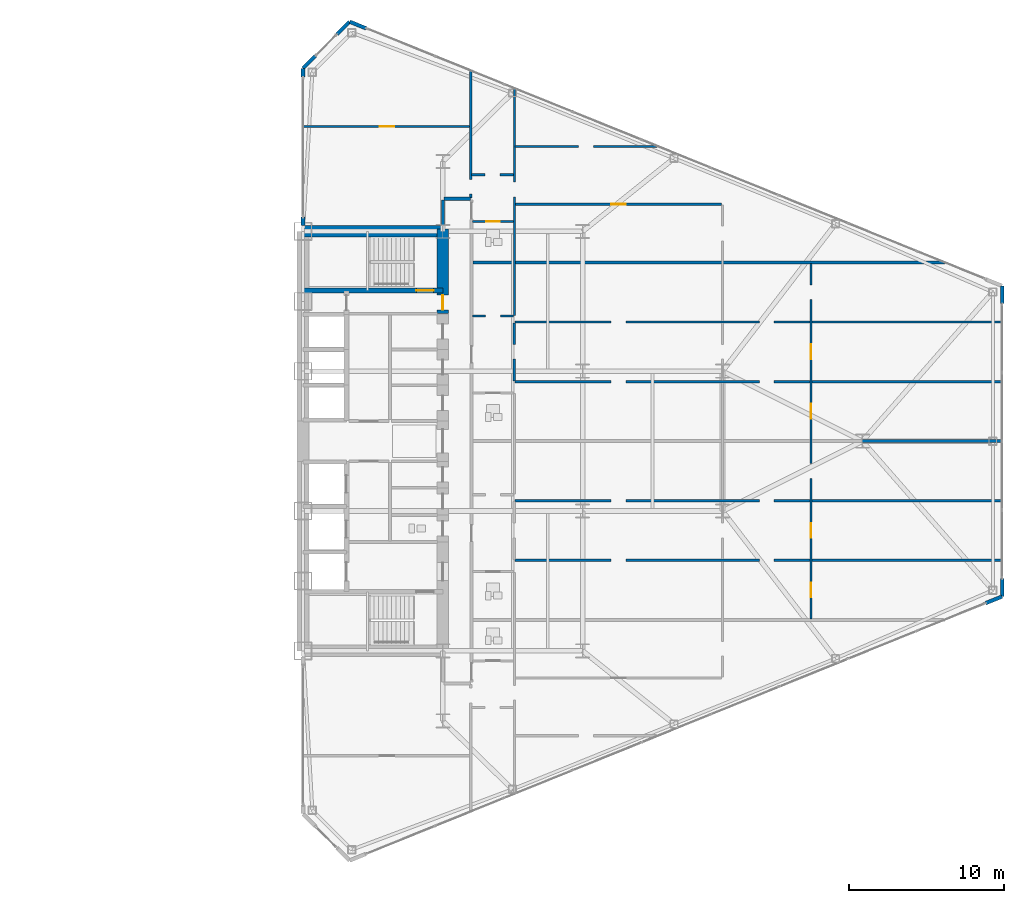
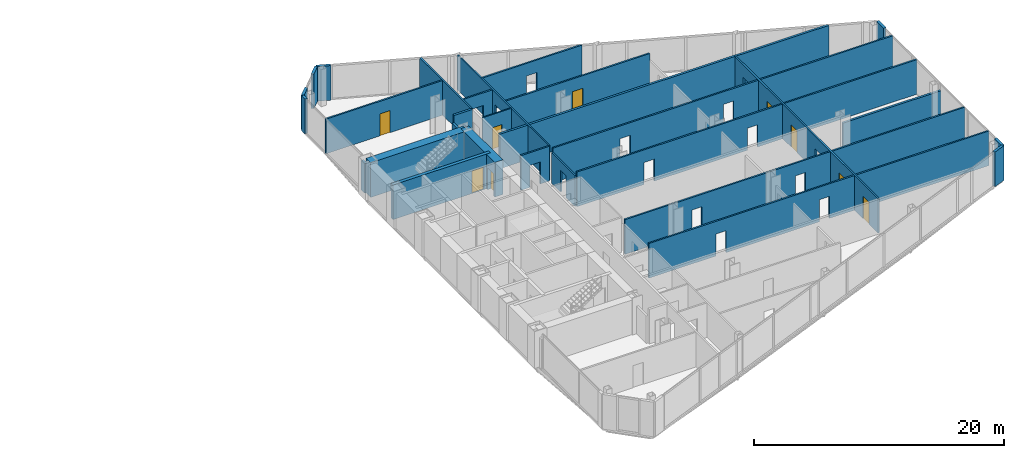
# One storey, part 22 of 25: 29 walls, 9 doors, 25 openings.
"""IFC4 building model written with IfcOpenShell, lengths in metres."""

import ifcopenshell
import ifcopenshell.guid

model = None  # the IFC model being written
_history = None  # IfcOwnerHistory: only IFC2X3 demands one
_inside = {}  # id of a spatial element -> (the spatial element, [elements in it])
_under = {}  # id of a project, library or spatial element -> (it, [spatial elements below it])
_declared = {}  # id of a project -> (the project, [libraries it declares])
_typed = {}  # id of a type object -> (the type object, [elements of that type])
_made_of = {}  # id of a material, layer set ... -> (it, [elements and type objects made of it])


def new_model(schema):
    """Start an empty IFC model of exactly this schema.

    Asked for "IFC4X3", IfcOpenShell would pick the latest addendum, in which some entities
    have other attributes; the version numbers below select the first issue.
    IFC2X3 requires an IfcOwnerHistory on every rooted entity: one is made here for all.
    """
    global model, _history
    if schema == "IFC4X3":
        model = ifcopenshell.file(schema_version=(4, 3, 0, 0))
    else:
        model = ifcopenshell.file(schema=schema)
    _inside.clear()
    _under.clear()
    _declared.clear()
    _typed.clear()
    _made_of.clear()
    _history = None
    if model.schema == "IFC2X3":
        org = make("IfcOrganization", Name="unknown")
        user = make(
            "IfcPersonAndOrganization",
            ThePerson=make("IfcPerson", FamilyName="unknown"),
            TheOrganization=org,
        )
        app = make(
            "IfcApplication",
            ApplicationDeveloper=org,
            Version="unknown",
            ApplicationFullName="unknown",
            ApplicationIdentifier="unknown",
        )
        _history = make(
            "IfcOwnerHistory",
            OwningUser=user,
            OwningApplication=app,
            ChangeAction="ADDED",
            CreationDate=0,
        )
    return model


def make(cls, **values):
    """One entity of the class cls with the attributes given. An attribute that is None is left unset."""
    return model.create_entity(
        cls, **{name: value for name, value in values.items() if value is not None}
    )


def rooted(cls, **values):
    """An entity with a GlobalId (a new one), such as an element, a storey or a relation."""
    return make(cls, GlobalId=ifcopenshell.guid.new(), OwnerHistory=_history, **values)


def si_unit(unit_type, name, prefix=None):
    """IfcSIUnit, for example si_unit("LENGTHUNIT", "METRE", prefix="MILLI")."""
    return make("IfcSIUnit", UnitType=unit_type, Prefix=prefix, Name=name)


def assignment(units):
    """IfcUnitAssignment: the units of a project."""
    return None if units is None else make("IfcUnitAssignment", Units=units)


def point(xyz):
    """IfcCartesianPoint."""
    return None if xyz is None else make("IfcCartesianPoint", Coordinates=xyz)


def direction(xyz):
    """IfcDirection."""
    return None if xyz is None else make("IfcDirection", DirectionRatios=xyz)


def frame(location, z_axis=None, x_axis=None):
    """IfcAxis2Placement3D, a coordinate frame: its origin and axes. An axis left out is left unset."""
    return make(
        "IfcAxis2Placement3D",
        Location=point(location),
        Axis=direction(z_axis),
        RefDirection=direction(x_axis),
    )


def frame_2d(location, x_axis=None):
    """IfcAxis2Placement2D, a coordinate frame in the plane: its origin and x axis."""
    return make(
        "IfcAxis2Placement2D", Location=point(location), RefDirection=direction(x_axis)
    )


def origin():
    """The frame at (0, 0, 0) with its axes left unset."""
    return frame((0.0, 0.0, 0.0))


def place(relative_to, where):
    """IfcLocalPlacement: puts the frame where relative to a parent placement (None: the world)."""
    return make(
        "IfcLocalPlacement", PlacementRelTo=relative_to, RelativePlacement=where
    )


def context(
    kind, dimensions, precision=None, world=None, true_north=None, identifier=None
):
    """IfcGeometricRepresentationContext, for example the 3D "Model" context."""
    return make(
        "IfcGeometricRepresentationContext",
        ContextIdentifier=identifier,
        ContextType=kind,
        CoordinateSpaceDimension=dimensions,
        Precision=precision,
        WorldCoordinateSystem=world,
        TrueNorth=true_north,
    )


def subcontext(parent, identifier, kind, view, scale=None):
    """IfcGeometricRepresentationSubContext, for example "Body" below "Model"."""
    return make(
        "IfcGeometricRepresentationSubContext",
        ContextIdentifier=identifier,
        ContextType=kind,
        ParentContext=parent,
        TargetScale=scale,
        TargetView=view,
    )


def project(units=None, contexts=None):
    """IfcProject with its units and contexts."""
    return rooted(
        "IfcProject",
        Name="project",
        RepresentationContexts=contexts,
        UnitsInContext=assignment(units),
    )


def spatial(cls, under=None, at=None, **own):
    """A site, building, storey or space (cls), placed at a placement, below another one or the project."""
    s = rooted(cls, ObjectPlacement=at, **own)
    if under is not None:
        _under.setdefault(under.id(), (under, []))[1].append(s)
    return s


def profile(cls, at=None, kind="AREA", **sizes):
    """A parametric profile (cls). Its sizes go by their IFC names, for example OverallWidth=200.0."""
    return make(cls, ProfileType=kind, Position=at, **sizes)


def rectangle(**sizes):
    """IfcRectangleProfileDef."""
    return profile("IfcRectangleProfileDef", **sizes)


def extrude(swept, where, along, depth):
    """IfcExtrudedAreaSolid: the profile swept, set in the frame where, extruded along a direction by depth."""
    return make(
        "IfcExtrudedAreaSolid",
        SweptArea=swept,
        Position=where,
        ExtrudedDirection=direction(along),
        Depth=depth,
    )


def shape(context_of_items, identifier, shape_type, items):
    """IfcShapeRepresentation: the items that make up one representation, for example the "Body"."""
    return make(
        "IfcShapeRepresentation",
        ContextOfItems=context_of_items,
        RepresentationIdentifier=identifier,
        RepresentationType=shape_type,
        Items=items,
    )


def source(mapping_origin, context_of_items, identifier, shape_type, items):
    """IfcRepresentationMap: a shape defined once, which mapped items show again and again."""
    return make(
        "IfcRepresentationMap",
        MappingOrigin=mapping_origin,
        MappedRepresentation=shape(context_of_items, identifier, shape_type, items),
    )


def transform(
    local_origin,
    x_axis=None,
    y_axis=None,
    z_axis=None,
    scale=None,
    scale2=None,
    scale3=None,
    uniform=True,
):
    """IfcCartesianTransformationOperator3D, or its non-uniform kind. x_axis, y_axis, z_axis: its Axis1, 2, 3."""
    if uniform:
        return make(
            "IfcCartesianTransformationOperator3D",
            Axis1=direction(x_axis),
            Axis2=direction(y_axis),
            LocalOrigin=point(local_origin),
            Scale=scale,
            Axis3=direction(z_axis),
        )
    return make(
        "IfcCartesianTransformationOperator3DnonUniform",
        Axis1=direction(x_axis),
        Axis2=direction(y_axis),
        LocalOrigin=point(local_origin),
        Scale=scale,
        Axis3=direction(z_axis),
        Scale2=scale2,
        Scale3=scale3,
    )


def mapped(mapping_source, mapping_target):
    """IfcMappedItem: shows the shape of a source again, moved by a transform."""
    return make(
        "IfcMappedItem", MappingSource=mapping_source, MappingTarget=mapping_target
    )


def material(Name=None, Category=None):
    """IfcMaterial."""
    return make("IfcMaterial", Name=Name, Category=Category)


def layer(
    of_material, thickness, ventilated=None, Name=None, Category=None, Priority=None
):
    """IfcMaterialLayer: one layer of a wall or slab, of a material (None: an air gap)."""
    return make(
        "IfcMaterialLayer",
        Material=of_material,
        LayerThickness=thickness,
        IsVentilated=ventilated,
        Name=Name,
        Category=Category,
        Priority=Priority,
    )


def layer_set(layers, Name=None):
    """IfcMaterialLayerSet."""
    return make("IfcMaterialLayerSet", MaterialLayers=layers, LayerSetName=Name)


def made_of(thing, what):
    """Note that an element or type object is made of a material, layer set ...; save() writes the relation."""
    if what is not None:
        _made_of.setdefault(what.id(), (what, []))[1].append(thing)
    return thing


def type_object(cls, material=None, **own):
    """A type object (cls), such as IfcWallType, which elements share."""
    return made_of(rooted(cls, **own), material)


def type_shapes(of_type, sources):
    """Give a type object the sources (RepresentationMaps) that its elements show as mapped items."""
    of_type.RepresentationMaps = sources


def element(
    cls,
    number,
    at=None,
    inside=None,
    cuts=None,
    type_object=None,
    material=None,
    context=None,
    identifier="Body",
    shape_type=None,
    held_by="IfcProductDefinitionShape",
    body=None,
    shapes=None,
    **own,
):
    """One element of the class cls, such as IfcWall. Its Tag is "e" and its number.

    at: its placement. inside: the storey or other place that contains it. cuts: it is an
    opening in that element (IfcRelVoidsElement). A single representation is given by context,
    identifier, shape_type and body (its items); several are given by shapes. held_by: the class
    of the entity that holds the representations. save() writes the other relations.
    """
    e = rooted(cls, Tag="e%d" % number, ObjectPlacement=at, **own)
    if body is not None:
        shapes = [shape(context, identifier, shape_type, body)]
    if shapes is not None:
        e.Representation = make(held_by, Representations=shapes)
    if inside is not None:
        _inside.setdefault(inside.id(), (inside, []))[1].append(e)
    if cuts is not None:
        rooted(
            "IfcRelVoidsElement", RelatingBuildingElement=cuts, RelatedOpeningElement=e
        )
    if type_object is not None:
        _typed.setdefault(type_object.id(), (type_object, []))[1].append(e)
    return made_of(e, material)


def fill(opening, filler):
    """IfcRelFillsElement: the door or window that sits in an opening."""
    return rooted(
        "IfcRelFillsElement",
        RelatingOpeningElement=opening,
        RelatedBuildingElement=filler,
    )


def aggregate(whole, parts):
    """IfcRelAggregates: a whole, such as a stair, and the parts it consists of."""
    return rooted("IfcRelAggregates", RelatingObject=whole, RelatedObjects=parts)


def save(model, path):
    """Write the relations noted so far, then the file.

    IfcRelAggregates (storeys below a building ...), IfcRelContainedInSpatialStructure (elements
    in a storey), IfcRelDefinesByType, IfcRelAssociatesMaterial and IfcRelDeclares: one each for
    every whole, place, type object, material and project.
    """
    for whole, parts in _under.values():
        aggregate(whole, parts)
    for where, things in _inside.values():
        rooted(
            "IfcRelContainedInSpatialStructure",
            RelatedElements=things,
            RelatingStructure=where,
        )
    for kind, things in _typed.values():
        rooted("IfcRelDefinesByType", RelatedObjects=things, RelatingType=kind)
    for what, things in _made_of.values():
        rooted("IfcRelAssociatesMaterial", RelatedObjects=things, RelatingMaterial=what)
    for by, libraries in _declared.values():
        rooted("IfcRelDeclares", RelatingContext=by, RelatedDefinitions=libraries)
    model.write(path)


model = new_model("IFC4")

# Units and contexts
model_context = context("Model", 3, precision=1e-05, world=origin(), true_north=direction((0.0, 1.0)))
body_context = subcontext(model_context, "Body", "Model", "MODEL_VIEW")
ifc_project = project(units=[si_unit("LENGTHUNIT", "METRE"), si_unit("AREAUNIT", "SQUARE_METRE"), si_unit("VOLUMEUNIT", "CUBIC_METRE"), si_unit("PLANEANGLEUNIT", "RADIAN"), si_unit("MASSUNIT", "GRAM", prefix="KILO")], contexts=[model_context])

# Site, building, storey
site_placement = place(None, origin())
site = spatial("IfcSite", under=ifc_project, at=site_placement, CompositionType="ELEMENT")
building_placement = place(site_placement, origin())
building = spatial("IfcBuilding", under=site, at=building_placement, Name="Seokmaru Belvedere", CompositionType="ELEMENT")
storey_placement = place(building_placement, frame((0.0, 0.0, 36.89990234375)))
storey = spatial("IfcBuildingStorey", under=building, at=storey_placement, Name="L09", CompositionType="ELEMENT", Elevation=36.89990234375)

# Wall, openings
ifc_material_1 = material(Name="Fire-Rated Gypsum Shaftwall")
ifc_layer_1 = layer(ifc_material_1, 0.14990234375)
ifc_layer_set_1 = layer_set([ifc_layer_1], Name="Fire-Rated Gypsum Shaftwall")
wall_type_1 = type_object("IfcWallType", Name="Apartment Fire-Acoustic Room Partition 150", PredefinedType="PARTITIONING", material=ifc_layer_set_1)
wall_1_placement = place(storey_placement, frame((41.14990234375, -7.669921875, 0.0), z_axis=(0.0, 0.0, 1.0), x_axis=(1.0, 0.0, 0.0)))
wall_1 = element("IfcWall", 1, at=wall_1_placement, inside=storey, type_object=wall_type_1, Name="L09 Interior Partition 017", PredefinedType="PARTITIONING", context=body_context, shape_type="SweptSolid", body=[
    extrude(rectangle(XDim=31.385009765625, YDim=0.14990234375, at=frame_2d((15.6923828125, 0.0))), origin(), (0.0, 0.0, 1.0), 3.380126953125),
])
opening_1_placement = place(wall_1_placement, frame((6.175048828125, 0.0, 0.0)))
element("IfcOpeningElement", 2, at=opening_1_placement, cuts=wall_1, Name="L09 Cased Opening 054", PredefinedType="OPENING", context=body_context, shape_type="SweptSolid", body=[
    extrude(rectangle(XDim=0.949951171875, YDim=2.14990234375, at=frame_2d((0.47509765625, 1.074951171875))), frame((0.0, 0.0849609375, 0.0), z_axis=(0.0, -1.0, 0.0), x_axis=(1.0, 0.0, 0.0)), (0.0, 0.0, 1.0), 0.169921875),
])
opening_2_placement = place(wall_1_placement, frame((15.72509765625, 0.0, 0.0)))
element("IfcOpeningElement", 3, at=opening_2_placement, cuts=wall_1, Name="L09 Cased Opening 056", PredefinedType="OPENING", context=body_context, shape_type="SweptSolid", body=[
    extrude(rectangle(XDim=0.949951171875, YDim=2.14990234375, at=frame_2d((0.47509765625, 1.074951171875))), frame((0.0, 0.0849609375, 0.0), z_axis=(0.0, -1.0, 0.0), x_axis=(1.0, 0.0, 0.0)), (0.0, 0.0, 1.0), 0.169921875),
])

wall_2_placement = place(storey_placement, frame((41.14990234375, -3.830078125, 0.0), z_axis=(0.0, 0.0, 1.0), x_axis=(1.0, 0.0, 0.0)))
wall_2 = element("IfcWall", 4, at=wall_2_placement, inside=storey, type_object=wall_type_1, Name="L09 Interior Partition 020", PredefinedType="PARTITIONING", context=body_context, shape_type="SweptSolid", body=[
    extrude(rectangle(XDim=31.385009765625, YDim=0.14990234375, at=frame_2d((15.6923828125, 0.0))), origin(), (0.0, 0.0, 1.0), 3.380126953125),
])
opening_3_placement = place(wall_2_placement, frame((6.175048828125, 0.0, 0.0)))
element("IfcOpeningElement", 5, at=opening_3_placement, cuts=wall_2, Name="L09 Cased Opening 055", PredefinedType="OPENING", context=body_context, shape_type="SweptSolid", body=[
    extrude(rectangle(XDim=0.949951171875, YDim=2.14990234375, at=frame_2d((0.47509765625, 1.074951171875))), frame((0.0, 0.0849609375, 0.0), z_axis=(0.0, -1.0, 0.0), x_axis=(1.0, 0.0, 0.0)), (0.0, 0.0, 1.0), 0.169921875),
])
opening_4_placement = place(wall_2_placement, frame((15.72509765625, 0.0, 0.0)))
element("IfcOpeningElement", 6, at=opening_4_placement, cuts=wall_2, Name="L09 Cased Opening 059", PredefinedType="OPENING", context=body_context, shape_type="SweptSolid", body=[
    extrude(rectangle(XDim=0.949951171875, YDim=2.14990234375, at=frame_2d((0.47509765625, 1.074951171875))), frame((0.0, 0.0849609375, 0.0), z_axis=(0.0, -1.0, 0.0), x_axis=(1.0, 0.0, 0.0)), (0.0, 0.0, 1.0), 0.169921875),
])

wall_3_placement = place(storey_placement, frame((41.14990234375, 3.830078125, 0.0), z_axis=(0.0, 0.0, 1.0), x_axis=(1.0, 0.0, 0.0)))
wall_3 = element("IfcWall", 7, at=wall_3_placement, inside=storey, type_object=wall_type_1, Name="L09 Interior Partition 027", PredefinedType="PARTITIONING", context=body_context, shape_type="SweptSolid", body=[
    extrude(rectangle(XDim=31.385009765625, YDim=0.14990234375, at=frame_2d((15.6923828125, 0.0))), origin(), (0.0, 0.0, 1.0), 3.380126953125),
])
opening_5_placement = place(wall_3_placement, frame((6.175048828125, 0.0, 0.0)))
element("IfcOpeningElement", 8, at=opening_5_placement, cuts=wall_3, Name="L09 Cased Opening 066", PredefinedType="OPENING", context=body_context, shape_type="SweptSolid", body=[
    extrude(rectangle(XDim=0.949951171875, YDim=2.14990234375, at=frame_2d((0.47509765625, 1.074951171875))), frame((0.0, 0.0849609375, 0.0), z_axis=(0.0, -1.0, 0.0), x_axis=(1.0, 0.0, 0.0)), (0.0, 0.0, 1.0), 0.169921875),
])
opening_6_placement = place(wall_3_placement, frame((15.72509765625, 0.0, 0.0)))
element("IfcOpeningElement", 9, at=opening_6_placement, cuts=wall_3, Name="L09 Cased Opening 068", PredefinedType="OPENING", context=body_context, shape_type="SweptSolid", body=[
    extrude(rectangle(XDim=0.949951171875, YDim=2.14990234375, at=frame_2d((0.47509765625, 1.074951171875))), frame((0.0, 0.0849609375, 0.0), z_axis=(0.0, -1.0, 0.0), x_axis=(1.0, 0.0, 0.0)), (0.0, 0.0, 1.0), 0.169921875),
])

wall_4_placement = place(storey_placement, frame((41.14990234375, 7.669921875, 0.0), z_axis=(0.0, 0.0, 1.0), x_axis=(1.0, 0.0, 0.0)))
wall_4 = element("IfcWall", 10, at=wall_4_placement, inside=storey, type_object=wall_type_1, Name="L09 Interior Partition 030", PredefinedType="PARTITIONING", context=body_context, shape_type="SweptSolid", body=[
    extrude(rectangle(XDim=31.385009765625, YDim=0.14990234375, at=frame_2d((15.6923828125, 0.0))), origin(), (0.0, 0.0, 1.0), 3.380126953125),
])
opening_7_placement = place(wall_4_placement, frame((6.175048828125, 0.0, 0.0)))
element("IfcOpeningElement", 11, at=opening_7_placement, cuts=wall_4, Name="L09 Cased Opening 067", PredefinedType="OPENING", context=body_context, shape_type="SweptSolid", body=[
    extrude(rectangle(XDim=0.949951171875, YDim=2.14990234375, at=frame_2d((0.47509765625, 1.074951171875))), frame((0.0, 0.0849609375, 0.0), z_axis=(0.0, -1.0, 0.0), x_axis=(1.0, 0.0, 0.0)), (0.0, 0.0, 1.0), 0.169921875),
])
opening_8_placement = place(wall_4_placement, frame((15.72509765625, 0.0, 0.0)))
element("IfcOpeningElement", 12, at=opening_8_placement, cuts=wall_4, Name="L09 Cased Opening 071", PredefinedType="OPENING", context=body_context, shape_type="SweptSolid", body=[
    extrude(rectangle(XDim=0.949951171875, YDim=2.14990234375, at=frame_2d((0.47509765625, 1.074951171875))), frame((0.0, 0.0849609375, 0.0), z_axis=(0.0, -1.0, 0.0), x_axis=(1.0, 0.0, 0.0)), (0.0, 0.0, 1.0), 0.169921875),
])

# Wall, opening
wall_5_placement = place(storey_placement, frame((38.39990234375, 8.050048828125, 0.0), z_axis=(0.0, 0.0, 1.0), x_axis=(1.0, 0.0, 0.0)))
wall_5 = element("IfcWall", 13, at=wall_5_placement, inside=storey, type_object=wall_type_1, Name="L09 Interior Partition 031", PredefinedType="PARTITIONING", context=body_context, shape_type="SweptSolid", body=[
    extrude(rectangle(XDim=2.650146484375, YDim=0.14990234375, at=frame_2d((1.3251953125, 0.0))), origin(), (0.0, 0.0, 1.0), 3.380126953125),
])
opening_9_placement = place(wall_5_placement, frame((0.85009765625, 0.0, 0.0)))
element("IfcOpeningElement", 14, at=opening_9_placement, cuts=wall_5, Name="L09 Cased Opening 063", PredefinedType="OPENING", context=body_context, shape_type="SweptSolid", body=[
    extrude(rectangle(XDim=0.949951171875, YDim=2.14990234375, at=frame_2d((0.47509765625, 1.074951171875))), frame((0.0, 0.0849609375, 0.0), z_axis=(0.0, -1.0, 0.0), x_axis=(1.0, 0.0, 0.0)), (0.0, 0.0, 1.0), 0.169921875),
])

# Wall, opening, door
wall_6_placement = place(storey_placement, frame((41.14990234375, 15.239990234375, 0.0), z_axis=(0.0, 0.0, 1.0), x_axis=(1.0, 0.0, 0.0)))
wall_6 = element("IfcWall", 15, at=wall_6_placement, inside=storey, type_object=wall_type_1, Name="L09 Interior Partition 036", PredefinedType="PARTITIONING", context=body_context, shape_type="SweptSolid", body=[
    extrude(rectangle(XDim=13.300048828125, YDim=0.14990234375, at=frame_2d((6.64990234375, 0.0))), origin(), (0.0, 0.0, 1.0), 3.380126953125),
])
opening_10_placement = place(wall_6_placement, frame((6.175048828125, 0.0, 0.0)))
opening_10 = element("IfcOpeningElement", 16, at=opening_10_placement, cuts=wall_6, Name="Opening D05", PredefinedType="OPENING", context=body_context, shape_type="SweptSolid", body=[
    extrude(rectangle(XDim=0.949951171875, YDim=2.14990234375, at=frame_2d((0.47509765625, 1.074951171875))), frame((0.0, 0.0849609375, 0.0), z_axis=(0.0, -1.0, 0.0), x_axis=(1.0, 0.0, 0.0)), (0.0, 0.0, 1.0), 0.169921875),
])
ifc_material_2 = material(Name="Engineered White Oak Timber", Category="wood")
door_type_1 = type_object("IfcDoorType", Name="Apartment Interior Fire-Rated Oak Door 950x2150", OperationType="NOTDEFINED", PredefinedType="DOOR", material=ifc_material_2)
shared_shape_1 = source(origin(), body_context, "Body", "SweptSolid", [
    extrude(rectangle(XDim=0.949951171875, YDim=2.14990234375, at=frame_2d((0.47509765625, 1.074951171875))), frame((0.0, 0.02490234375, 0.0), z_axis=(0.0, -1.0, 0.0), x_axis=(1.0, 0.0, 0.0)), (0.0, 0.0, 1.0), 0.050048828125),
])
type_shapes(door_type_1, [shared_shape_1])
door_1_placement = place(opening_10_placement, origin())
door_1 = element("IfcDoor", 17, at=door_1_placement, inside=storey, type_object=door_type_1, Name="L09 Interior Door 078", OperationType="SINGLE_SWING_RIGHT", OverallHeight=2.14990234375, OverallWidth=0.949951171875, PredefinedType="DOOR", context=body_context, shape_type="MappedRepresentation", body=[
    mapped(shared_shape_1, transform((0.0, 0.0, 0.0), scale=1.0)),
])
fill(opening_10, door_1)

# Wall, opening
wall_7_placement = place(storey_placement, frame((38.35009765625, 17.139892578125, 0.0), z_axis=(0.0, 0.0, 1.0), x_axis=(1.0, 0.0, 0.0)))
wall_7 = element("IfcWall", 18, at=wall_7_placement, inside=storey, type_object=wall_type_1, Name="L09 Interior Partition 041", PredefinedType="PARTITIONING", context=body_context, shape_type="SweptSolid", body=[
    extrude(rectangle(XDim=2.699951171875, YDim=0.14990234375, at=frame_2d((1.35009765625, 0.0))), origin(), (0.0, 0.0, 1.0), 3.380126953125),
])
opening_11_placement = place(wall_7_placement, frame((0.875, 0.0, 0.0)))
element("IfcOpeningElement", 19, at=opening_11_placement, cuts=wall_7, Name="L09 Cased Opening 075", PredefinedType="OPENING", context=body_context, shape_type="SweptSolid", body=[
    extrude(rectangle(XDim=0.949951171875, YDim=2.14990234375, at=frame_2d((0.47509765625, 1.074951171875))), frame((0.0, 0.0849609375, 0.0), z_axis=(0.0, -1.0, 0.0), x_axis=(1.0, 0.0, 0.0)), (0.0, 0.0, 1.0), 0.169921875),
])

wall_8_placement = place(storey_placement, frame((41.14990234375, 18.969970703125, 0.0), z_axis=(0.0, 0.0, 1.0), x_axis=(1.0, 0.0, 0.0)))
wall_8 = element("IfcWall", 20, at=wall_8_placement, inside=storey, type_object=wall_type_1, Name="L09 Interior Partition 042", PredefinedType="PARTITIONING", context=body_context, shape_type="SweptSolid", body=[
    extrude(rectangle(XDim=9.216064453125, YDim=0.14990234375, at=frame_2d((4.60791015625, 0.0))), origin(), (0.0, 0.0, 1.0), 3.380126953125),
])
opening_12_placement = place(wall_8_placement, frame((4.0908203125, 0.0, 0.0)))
element("IfcOpeningElement", 21, at=opening_12_placement, cuts=wall_8, Name="L09 Cased Opening 079", PredefinedType="OPENING", context=body_context, shape_type="SweptSolid", body=[
    extrude(rectangle(XDim=0.949951171875, YDim=2.14990234375, at=frame_2d((0.47509765625, 1.074951171875))), frame((0.0, 0.0849609375, 0.0), z_axis=(0.0, -1.0, 0.0), x_axis=(1.0, 0.0, 0.0)), (0.0, 0.0, 1.0), 0.169921875),
])

# Wall, opening, door
wall_9_placement = place(storey_placement, frame((27.465087890625, 20.25, 0.0), z_axis=(0.0, 0.0, 1.0), x_axis=(1.0, 0.0, 0.0)))
wall_9 = element("IfcWall", 22, at=wall_9_placement, inside=storey, type_object=wall_type_1, Name="L09 Interior Partition 044", PredefinedType="PARTITIONING", context=body_context, shape_type="SweptSolid", body=[
    extrude(rectangle(XDim=10.784912109375, YDim=0.14990234375, at=frame_2d((5.392578125, 0.0))), origin(), (0.0, 0.0, 1.0), 3.380126953125),
])
opening_13_placement = place(wall_9_placement, frame((4.9599609375, 0.0, 0.0)))
opening_13 = element("IfcOpeningElement", 23, at=opening_13_placement, cuts=wall_9, Name="Opening D05", PredefinedType="OPENING", context=body_context, shape_type="SweptSolid", body=[
    extrude(rectangle(XDim=0.949951171875, YDim=2.14990234375, at=frame_2d((0.47509765625, 1.074951171875))), frame((0.0, 0.0849609375, 0.0), z_axis=(0.0, -1.0, 0.0), x_axis=(1.0, 0.0, 0.0)), (0.0, 0.0, 1.0), 0.169921875),
])
door_2_placement = place(opening_13_placement, origin())
door_2 = element("IfcDoor", 24, at=door_2_placement, inside=storey, type_object=door_type_1, Name="L09 Interior Door 080", OperationType="SINGLE_SWING_LEFT", OverallHeight=2.14990234375, OverallWidth=0.949951171875, PredefinedType="DOOR", context=body_context, shape_type="MappedRepresentation", body=[
    mapped(shared_shape_1, transform((0.0, 0.0, 0.0), scale=1.0)),
])
fill(opening_13, door_2)

# Wall, opening
wall_10_placement = place(storey_placement, frame((38.300048828125, 15.64990234375, 0.0), z_axis=(0.0, 0.0, 1.0), x_axis=(0.0, 1.0, 0.0)))
wall_10 = element("IfcWall", 25, at=wall_10_placement, inside=storey, type_object=wall_type_1, Name="L09 Interior Partition 060", PredefinedType="PARTITIONING", context=body_context, shape_type="SweptSolid", body=[
    extrude(rectangle(XDim=8.22802734375, YDim=0.14990234375, at=frame_2d((4.114013671875, 0.0))), origin(), (0.0, 0.0, 1.0), 3.380126953125),
])
opening_14_placement = place(wall_10_placement, frame((0.24755859375, 0.0, 0.0)))
element("IfcOpeningElement", 26, at=opening_14_placement, cuts=wall_10, Name="L09 Cased Opening 077", PredefinedType="OPENING", context=body_context, shape_type="SweptSolid", body=[
    extrude(rectangle(XDim=0.949951171875, YDim=2.14990234375, at=frame_2d((0.47509765625, 1.074951171875))), frame((0.0, 0.0849609375, 0.0), z_axis=(0.0, -1.0, 0.0), x_axis=(1.0, 0.0, 0.0)), (0.0, 0.0, 1.0), 0.169921875),
])

wall_11_placement = place(storey_placement, frame((41.10009765625, 3.883056640625, 0.0), z_axis=(0.0, 0.0, 1.0), x_axis=(0.0, 1.0, 0.0)))
wall_11 = element("IfcWall", 27, at=wall_11_placement, inside=storey, type_object=wall_type_1, Name="L09 Interior Partition 065", PredefinedType="PARTITIONING", context=body_context, shape_type="SweptSolid", body=[
    extrude(rectangle(XDim=3.73388671875, YDim=0.14990234375, at=frame_2d((1.866943359375, 0.0))), origin(), (0.0, 0.0, 1.0), 2.989990234375),
])
opening_15_placement = place(wall_11_placement, frame((1.39208984375, 0.0, 0.0)))
element("IfcOpeningElement", 28, at=opening_15_placement, cuts=wall_11, Name="L09 Cased Opening 064", PredefinedType="OPENING", context=body_context, shape_type="SweptSolid", body=[
    extrude(rectangle(XDim=0.949951171875, YDim=2.14990234375, at=frame_2d((0.47509765625, 1.074951171875))), frame((0.0, 0.0849609375, 0.0), z_axis=(0.0, -1.0, 0.0), x_axis=(1.0, 0.0, 0.0)), (0.0, 0.0, 1.0), 0.169921875),
])

# Wall, openings, doors
wall_12_placement = place(storey_placement, frame((60.199951171875, -11.449951171875, 0.0), z_axis=(0.0, 0.0, 1.0), x_axis=(0.0, 1.0, 0.0)))
wall_12 = element("IfcWall", 29, at=wall_12_placement, inside=storey, type_object=wall_type_1, Name="L09 Interior Partition 068", PredefinedType="PARTITIONING", context=body_context, shape_type="SweptSolid", body=[
    extrude(rectangle(XDim=22.89990234375, YDim=0.14990234375, at=frame_2d((11.449951171875, 0.0))), origin(), (0.0, 0.0, 1.0), 3.380126953125),
])
opening_16_placement = place(wall_12_placement, frame((1.3916015625, 0.0, 0.0)))
opening_16 = element("IfcOpeningElement", 30, at=opening_16_placement, cuts=wall_12, Name="Opening D05", PredefinedType="OPENING", context=body_context, shape_type="SweptSolid", body=[
    extrude(rectangle(XDim=0.949951171875, YDim=2.14990234375, at=frame_2d((0.47509765625, 1.074951171875))), frame((0.0, 0.0849609375, 0.0), z_axis=(0.0, -1.0, 0.0), x_axis=(1.0, 0.0, 0.0)), (0.0, 0.0, 1.0), 0.169921875),
])
opening_17_placement = place(wall_12_placement, frame((5.22509765625, 0.0, 0.0)))
opening_17 = element("IfcOpeningElement", 31, at=opening_17_placement, cuts=wall_12, Name="Opening D05", PredefinedType="OPENING", context=body_context, shape_type="SweptSolid", body=[
    extrude(rectangle(XDim=0.949951171875, YDim=2.14990234375, at=frame_2d((0.47509765625, 1.074951171875))), frame((0.0, 0.0849609375, 0.0), z_axis=(0.0, -1.0, 0.0), x_axis=(1.0, 0.0, 0.0)), (0.0, 0.0, 1.0), 0.169921875),
])
opening_18_placement = place(wall_12_placement, frame((9.058349609375, 0.0, 0.0)))
element("IfcOpeningElement", 32, at=opening_18_placement, cuts=wall_12, Name="L09 Cased Opening 060", PredefinedType="OPENING", context=body_context, shape_type="SweptSolid", body=[
    extrude(rectangle(XDim=0.949951171875, YDim=2.14990234375, at=frame_2d((0.47509765625, 1.074951171875))), frame((0.0, 0.0849609375, 0.0), z_axis=(0.0, -1.0, 0.0), x_axis=(1.0, 0.0, 0.0)), (0.0, 0.0, 1.0), 0.169921875),
])
opening_19_placement = place(wall_12_placement, frame((12.8916015625, 0.0, 0.0)))
opening_19 = element("IfcOpeningElement", 33, at=opening_19_placement, cuts=wall_12, Name="Opening D05", PredefinedType="OPENING", context=body_context, shape_type="SweptSolid", body=[
    extrude(rectangle(XDim=0.949951171875, YDim=2.14990234375, at=frame_2d((0.47509765625, 1.074951171875))), frame((0.0, 0.0849609375, 0.0), z_axis=(0.0, -1.0, 0.0), x_axis=(1.0, 0.0, 0.0)), (0.0, 0.0, 1.0), 0.169921875),
])
opening_20_placement = place(wall_12_placement, frame((16.72509765625, 0.0, 0.0)))
opening_20 = element("IfcOpeningElement", 34, at=opening_20_placement, cuts=wall_12, Name="Opening D05", PredefinedType="OPENING", context=body_context, shape_type="SweptSolid", body=[
    extrude(rectangle(XDim=0.949951171875, YDim=2.14990234375, at=frame_2d((0.47509765625, 1.074951171875))), frame((0.0, 0.0849609375, 0.0), z_axis=(0.0, -1.0, 0.0), x_axis=(1.0, 0.0, 0.0)), (0.0, 0.0, 1.0), 0.169921875),
])
opening_21_placement = place(wall_12_placement, frame((20.558349609375, 0.0, 0.0)))
element("IfcOpeningElement", 35, at=opening_21_placement, cuts=wall_12, Name="L09 Cased Opening 072", PredefinedType="OPENING", context=body_context, shape_type="SweptSolid", body=[
    extrude(rectangle(XDim=0.949951171875, YDim=2.14990234375, at=frame_2d((0.47509765625, 1.074951171875))), frame((0.0, 0.0849609375, 0.0), z_axis=(0.0, -1.0, 0.0), x_axis=(1.0, 0.0, 0.0)), (0.0, 0.0, 1.0), 0.169921875),
])
door_3_placement = place(opening_16_placement, origin())
door_3 = element("IfcDoor", 36, at=door_3_placement, inside=storey, type_object=door_type_1, Name="L09 Interior Door 057", OperationType="SINGLE_SWING_LEFT", OverallHeight=2.14990234375, OverallWidth=0.949951171875, PredefinedType="DOOR", context=body_context, shape_type="MappedRepresentation", body=[
    mapped(shared_shape_1, transform((0.0, 0.0, 0.0), scale=1.0)),
])
fill(opening_16, door_3)
door_4_placement = place(opening_17_placement, origin())
door_4 = element("IfcDoor", 37, at=door_4_placement, inside=storey, type_object=door_type_1, Name="L09 Interior Door 058", OperationType="SINGLE_SWING_LEFT", OverallHeight=2.14990234375, OverallWidth=0.949951171875, PredefinedType="DOOR", context=body_context, shape_type="MappedRepresentation", body=[
    mapped(shared_shape_1, transform((0.0, 0.0, 0.0), scale=1.0)),
])
fill(opening_17, door_4)
door_5_placement = place(opening_19_placement, origin())
door_5 = element("IfcDoor", 38, at=door_5_placement, inside=storey, type_object=door_type_1, Name="L09 Interior Door 069", OperationType="SINGLE_SWING_LEFT", OverallHeight=2.14990234375, OverallWidth=0.949951171875, PredefinedType="DOOR", context=body_context, shape_type="MappedRepresentation", body=[
    mapped(shared_shape_1, transform((0.0, 0.0, 0.0), scale=1.0)),
])
fill(opening_19, door_5)
door_6_placement = place(opening_20_placement, origin())
door_6 = element("IfcDoor", 39, at=door_6_placement, inside=storey, type_object=door_type_1, Name="L09 Interior Door 070", OperationType="SINGLE_SWING_LEFT", OverallHeight=2.14990234375, OverallWidth=0.949951171875, PredefinedType="DOOR", context=body_context, shape_type="MappedRepresentation", body=[
    mapped(shared_shape_1, transform((0.0, 0.0, 0.0), scale=1.0)),
])
fill(opening_20, door_6)

# Walls
ifc_layer_2 = layer(ifc_material_1, 0.199951171875)
ifc_layer_set_2 = layer_set([ifc_layer_2], Name="Fire-Rated Gypsum Shaftwall")
wall_type_2 = type_object("IfcWallType", Name="Inter-Tenancy Fire Compartment Partition 200", PredefinedType="PARTITIONING", material=ifc_layer_set_2)
wall_13_placement = place(storey_placement, frame((63.47998046875, 0.0, 0.0), z_axis=(0.0, 0.0, 1.0), x_axis=(1.0, 0.0, 0.0)))
element("IfcWall", 40, at=wall_13_placement, inside=storey, type_object=wall_type_2, Name="L09 Interior Partition 023 Part 2", PredefinedType="PARTITIONING", context=body_context, shape_type="SweptSolid", body=[
    extrude(rectangle(XDim=9.02490234375, YDim=0.199951171875, at=frame_2d((4.512451171875, 0.0))), origin(), (0.0, 0.0, 1.0), 2.68017578125),
])
wall_14_placement = place(storey_placement, frame((38.429931640625, 11.5, 0.0), z_axis=(0.0, 0.0, 1.0), x_axis=(1.0, 0.0, 0.0)))
element("IfcWall", 41, at=wall_14_placement, inside=storey, type_object=wall_type_2, Name="L09 Interior Partition 033", PredefinedType="PARTITIONING", context=body_context, shape_type="SweptSolid", body=[
    extrude(rectangle(XDim=30.376953125, YDim=0.199951171875, at=frame_2d((15.1884765625, 0.0))), origin(), (0.0, 0.0, 1.0), 3.380126953125),
])
wall_15_placement = place(storey_placement, frame((36.5849609375, 15.60009765625, 0.0), z_axis=(0.0, 0.0, 1.0), x_axis=(1.0, 0.0, 0.0)))
element("IfcWall", 42, at=wall_15_placement, inside=storey, type_object=wall_type_2, Name="L09 Interior Partition 038", PredefinedType="PARTITIONING", context=body_context, shape_type="SweptSolid", body=[
    extrude(rectangle(XDim=1.679931640625, YDim=0.199951171875, at=frame_2d((0.83984375, 0.0))), origin(), (0.0, 0.0, 1.0), 3.380126953125),
])
wall_16_placement = place(storey_placement, frame((36.5, 13.8798828125, 0.0), z_axis=(0.0, 0.0, 1.0), x_axis=(0.0, 1.0, 0.0)))
element("IfcWall", 43, at=wall_16_placement, inside=storey, type_object=wall_type_2, Name="L09 Interior Partition 058", PredefinedType="PARTITIONING", context=body_context, shape_type="SweptSolid", body=[
    extrude(rectangle(XDim=1.635009765625, YDim=0.199951171875, at=frame_2d((0.8173828125, 0.0))), origin(), (0.0, 0.0, 1.0), 2.68017578125),
])

# Wall, opening, door
ifc_material_3 = material(Name="Concrete C50 (50 MPa)", Category="concrete")
ifc_layer_3 = layer(ifc_material_3, 0.300048828125)
ifc_layer_set_3 = layer_set([ifc_layer_3], Name="Concrete C50 (50 MPa)")
wall_type_3 = type_object("IfcWallType", Name="Internal Core Stair and Hoistway Wall 300", PredefinedType="SHEAR", material=ifc_layer_set_3)
wall_17_placement = place(storey_placement, frame((27.5, 9.699951171875, 0.0), z_axis=(0.0, 0.0, 1.0), x_axis=(1.0, 0.0, 0.0)))
wall_17 = element("IfcWall", 44, at=wall_17_placement, inside=storey, type_object=wall_type_3, Name="L09 East Stair ST-2 Enclosure Wall", PredefinedType="SHEAR", context=body_context, shape_type="SweptSolid", body=[
    extrude(rectangle(XDim=9.0, YDim=0.300048828125, at=frame_2d((4.5, 0.0))), origin(), (0.0, 0.0, 1.0), 3.380126953125),
])
opening_22_placement = place(wall_17_placement, frame((7.300048828125, 0.0, 0.0)))
opening_22 = element("IfcOpeningElement", 45, at=opening_22_placement, cuts=wall_17, Name="Opening D01", PredefinedType="OPENING", context=body_context, shape_type="SweptSolid", body=[
    extrude(rectangle(XDim=1.10009765625, YDim=2.199951171875, at=frame_2d((0.550048828125, 1.10009765625))), frame((0.0, 0.16015625, 0.0), z_axis=(0.0, -1.0, 0.0), x_axis=(1.0, 0.0, 0.0)), (0.0, 0.0, 1.0), 0.320068359375),
])
ifc_material_4 = material(Name="Fire-Rated Steel Leaf", Category="steel")
door_type_2 = type_object("IfcDoorType", Name="Special Escape Stair Smokeproof Fire Door 1100x2200", OperationType="NOTDEFINED", PredefinedType="DOOR", material=ifc_material_4)
shared_shape_2 = source(origin(), body_context, "Body", "SweptSolid", [
    extrude(rectangle(XDim=1.10009765625, YDim=2.199951171875, at=frame_2d((0.550048828125, 1.10009765625))), frame((0.0, 0.02490234375, 0.0), z_axis=(0.0, -1.0, 0.0), x_axis=(1.0, 0.0, 0.0)), (0.0, 0.0, 1.0), 0.050048828125),
])
type_shapes(door_type_2, [shared_shape_2])
door_7_placement = place(opening_22_placement, origin())
door_7 = element("IfcDoor", 46, at=door_7_placement, inside=storey, type_object=door_type_2, Name="L09 East Special Escape Stair ST-2 Door", OperationType="SINGLE_SWING_LEFT", OverallHeight=2.199951171875, OverallWidth=1.10009765625, PredefinedType="DOOR", context=body_context, shape_type="MappedRepresentation", body=[
    mapped(shared_shape_2, transform((0.0, 0.0, 0.0), scale=1.0)),
])
fill(opening_22, door_7)

# Wall
ifc_material_5 = material(Name="Concrete C60 (60 MPa)", Category="concrete")
ifc_layer_4 = layer(ifc_material_5, 0.75)
ifc_layer_set_4 = layer_set([ifc_layer_4], Name="Concrete C60 (60 MPa)")
wall_type_4 = type_object("IfcWallType", Name="Lower Tower Reinforced Concrete Core Wall 750", PredefinedType="SHEAR", material=ifc_layer_set_4)
wall_18_placement = place(storey_placement, frame((27.5, 13.5, 0.0), z_axis=(0.0, 0.0, 1.0), x_axis=(1.0, 0.0, 0.0)))
element("IfcWall", 47, at=wall_18_placement, inside=storey, type_object=wall_type_4, Name="L09 East North Core Wall", PredefinedType="SHEAR", context=body_context, shape_type="SweptSolid", body=[
    extrude(rectangle(XDim=9.0, YDim=0.75, at=frame_2d((4.5, 0.0))), origin(), (0.0, 0.0, 1.0), 3.380126953125),
])

# Wall, opening, door
wall_19_placement = place(storey_placement, frame((36.5, 8.199951171875, 0.0), z_axis=(0.0, 0.0, 1.0), x_axis=(0.0, 1.0, 0.0)))
wall_19 = element("IfcWall", 48, at=wall_19_placement, inside=storey, type_object=wall_type_4, Name="L09 East West Core Wall VST", PredefinedType="SHEAR", context=body_context, shape_type="SweptSolid", body=[
    extrude(rectangle(XDim=5.449951171875, YDim=0.75, at=frame_2d((2.72509765625, 0.0))), origin(), (0.0, 0.0, 1.0), 3.380126953125),
])
opening_23_placement = place(wall_19_placement, frame((0.2451171875, 0.0, 0.0)))
opening_23 = element("IfcOpeningElement", 49, at=opening_23_placement, cuts=wall_19, Name="Opening D04", PredefinedType="OPENING", context=body_context, shape_type="SweptSolid", body=[
    extrude(rectangle(XDim=0.949951171875, YDim=2.14990234375, at=frame_2d((0.47509765625, 1.074951171875))), frame((0.0, 0.385009765625, 0.0), z_axis=(0.0, -1.0, 0.0), x_axis=(1.0, 0.0, 0.0)), (0.0, 0.0, 1.0), 0.77001953125),
])
door_type_3 = type_object("IfcDoorType", Name="Core Service Room Fire Door 950x2150", OperationType="NOTDEFINED", PredefinedType="DOOR", material=ifc_material_4)
shared_shape_3 = source(origin(), body_context, "Body", "SweptSolid", [
    extrude(rectangle(XDim=0.949951171875, YDim=2.14990234375, at=frame_2d((0.47509765625, 1.074951171875))), frame((0.0, 0.02490234375, 0.0), z_axis=(0.0, -1.0, 0.0), x_axis=(1.0, 0.0, 0.0)), (0.0, 0.0, 1.0), 0.050048828125),
])
type_shapes(door_type_3, [shared_shape_3])
door_8_placement = place(opening_23_placement, origin())
door_8 = element("IfcDoor", 50, at=door_8_placement, inside=storey, type_object=door_type_3, Name="L09 East Smokeproof Vestibule Door", OperationType="SINGLE_SWING_LEFT", OverallHeight=2.14990234375, OverallWidth=0.949951171875, PredefinedType="DOOR", context=body_context, shape_type="MappedRepresentation", body=[
    mapped(shared_shape_3, transform((0.0, 0.0, 0.0), scale=1.0)),
])
fill(opening_23, door_8)

ifc_layer_5 = layer(ifc_material_1, 0.1298828125)
ifc_layer_set_5 = layer_set([ifc_layer_5], Name="Fire-Rated Gypsum Shaftwall")
wall_type_5 = type_object("IfcWallType", Name="Moisture-Resistant Fire-Rated Bathroom Partition 130", PredefinedType="PARTITIONING", material=ifc_layer_set_5)
wall_20_placement = place(storey_placement, frame((38.39990234375, 14.139892578125, 0.0), z_axis=(0.0, 0.0, 1.0), x_axis=(1.0, 0.0, 0.0)))
wall_20 = element("IfcWall", 51, at=wall_20_placement, inside=storey, type_object=wall_type_5, Name="L09 Interior Partition 035", PredefinedType="PARTITIONING", context=body_context, shape_type="SweptSolid", body=[
    extrude(rectangle(XDim=2.650146484375, YDim=0.1298828125, at=frame_2d((1.3251953125, 0.0))), origin(), (0.0, 0.0, 1.0), 3.380126953125),
])
opening_24_placement = place(wall_20_placement, frame((0.885009765625, 0.0, 0.0)))
opening_24 = element("IfcOpeningElement", 52, at=opening_24_placement, cuts=wall_20, Name="Opening D06", PredefinedType="OPENING", context=body_context, shape_type="SweptSolid", body=[
    extrude(rectangle(XDim=0.8798828125, YDim=2.10009765625, at=frame_2d((0.43994140625, 1.050048828125))), frame((0.0, 0.074951171875, 0.0), z_axis=(0.0, -1.0, 0.0), x_axis=(1.0, 0.0, 0.0)), (0.0, 0.0, 1.0), 0.14990234375),
])
door_type_4 = type_object("IfcDoorType", Name="Bathroom and Restroom Fire-Rated Door 880x2100", OperationType="NOTDEFINED", PredefinedType="DOOR", material=ifc_material_2)
shared_shape_4 = source(origin(), body_context, "Body", "SweptSolid", [
    extrude(rectangle(XDim=0.8798828125, YDim=2.10009765625, at=frame_2d((0.43994140625, 1.050048828125))), frame((0.0, 0.02490234375, 0.0), z_axis=(0.0, -1.0, 0.0), x_axis=(1.0, 0.0, 0.0)), (0.0, 0.0, 1.0), 0.050048828125),
])
type_shapes(door_type_4, [shared_shape_4])
door_9_placement = place(opening_24_placement, origin())
door_9 = element("IfcDoor", 53, at=door_9_placement, inside=storey, type_object=door_type_4, Name="L09 Interior Door 074", OperationType="SINGLE_SWING_RIGHT", OverallHeight=2.10009765625, OverallWidth=0.8798828125, PredefinedType="DOOR", context=body_context, shape_type="MappedRepresentation", body=[
    mapped(shared_shape_4, transform((0.0, 0.0, 0.0), scale=1.0)),
])
fill(opening_24, door_9)

# Wall, opening
wall_21_placement = place(storey_placement, frame((41.10009765625, 8.10205078125, 0.0), z_axis=(0.0, 0.0, 1.0), x_axis=(0.0, 1.0, 0.0)))
wall_21 = element("IfcWall", 54, at=wall_21_placement, inside=storey, type_object=wall_type_5, Name="L09 Interior Partition 066", PredefinedType="PARTITIONING", context=body_context, shape_type="SweptSolid", body=[
    extrude(rectangle(XDim=14.641845703125, YDim=0.1298828125, at=frame_2d((7.32080078125, 0.0))), origin(), (0.0, 0.0, 1.0), 3.380126953125),
])
opening_25_placement = place(wall_21_placement, frame((7.61376953125, 0.0, 0.0)))
element("IfcOpeningElement", 55, at=opening_25_placement, cuts=wall_21, Name="L09 Cased Opening 076", PredefinedType="OPENING", context=body_context, shape_type="SweptSolid", body=[
    extrude(rectangle(XDim=0.949951171875, YDim=2.14990234375, at=frame_2d((0.47509765625, 1.074951171875))), frame((0.0, 0.074951171875, 0.0), z_axis=(0.0, -1.0, 0.0), x_axis=(1.0, 0.0, 0.0)), (0.0, 0.0, 1.0), 0.14990234375),
])

# Walls
ifc_material_6 = material(Name="Anodised Bronze Aluminium", Category="aluminium")
ifc_layer_6 = layer(ifc_material_6, 0.239990234375)
ifc_layer_set_6 = layer_set([ifc_layer_6], Name="Anodised Bronze Aluminium")
wall_type_6 = type_object("IfcWallType", Name="Tower Corner Spandrel Closure Wall 240", PredefinedType="SOLIDWALL", material=ifc_layer_set_6)
for number, where, z_axis, x_axis, name in (
    (56, (71.43408203125, -10.431396484375, 0.0), (0.0, 0.0, 1.0), (0.927007103665, 0.375043770452, 0.0), "L09 E Corner Closure Pier 1B"),
    (57, (72.5, -9.989990234375, 0.0), (0.0, 0.0, 1.0), (0.0, 1.0, 0.0), "L09 E Corner Closure Pier 2A"),
    (58, (72.5, 8.85009765625, 0.0), (0.0, 0.0, 1.0), (0.0, 1.0, 0.0), "L09 E Corner Closure Pier 2B"),
    (59, (31.56591796875, 26.568603515625, 0.0), (0.0, 0.0, 1.0), (-0.927007103665, 0.375043770452, 0.0), "L09 E Corner Closure Pier 3B"),
):
    element("IfcWall", number, at=place(storey_placement, frame(where, z_axis=z_axis, x_axis=x_axis)), inside=storey, type_object=wall_type_6, Name=name, PredefinedType="SOLIDWALL", context=body_context, shape_type="SweptSolid", body=[
        extrude(rectangle(XDim=1.139892578125, YDim=0.239990234375, at=frame_2d((0.56982421875, 0.0))), origin(), (0.0, 0.0, 1.0), 3.380126953125),
    ])
for number, where, z_axis, x_axis, name in (
    (60, (30.492919921875, 26.992919921875, 0.0), (0.0, 0.0, 1.0), (-0.707106781187, -0.707106781187, 0.0), "L09 E Corner Closure Pier 4A"),
    (61, (28.313232421875, 24.813232421875, 0.0), (0.0, 0.0, 1.0), (-0.707106781187, -0.707106781187, 0.0), "L09 E Corner Closure Pier 4B"),
):
    element("IfcWall", number, at=place(storey_placement, frame(where, z_axis=z_axis, x_axis=x_axis)), inside=storey, type_object=wall_type_6, Name=name, PredefinedType="SOLIDWALL", context=body_context, shape_type="SweptSolid", body=[
        extrude(rectangle(XDim=1.14013671875, YDim=0.239990234375, at=frame_2d((0.570068359375, 0.0))), origin(), (0.0, 0.0, 1.0), 3.380126953125),
    ])
wall_22_placement = place(storey_placement, frame((27.5, 13.8798828125, 0.0), z_axis=(0.0, 0.0, 1.0), x_axis=(0.0, 1.0, 0.0)))
element("IfcWall", 62, at=wall_22_placement, inside=storey, type_object=wall_type_6, Name="L09 E Spine Closure Pier 2A", PredefinedType="SOLIDWALL", context=body_context, shape_type="SweptSolid", body=[
    extrude(rectangle(XDim=0.550048828125, YDim=0.239990234375, at=frame_2d((0.27490234375, 0.0))), origin(), (0.0, 0.0, 1.0), 2.880126953125),
])
wall_23_placement = place(storey_placement, frame((27.5, 23.429931640625, 0.0), z_axis=(0.0, 0.0, 1.0), x_axis=(0.0, 1.0, 0.0)))
element("IfcWall", 63, at=wall_23_placement, inside=storey, type_object=wall_type_6, Name="L09 E Spine Closure Pier 2B", PredefinedType="SOLIDWALL", context=body_context, shape_type="SweptSolid", body=[
    extrude(rectangle(XDim=0.550048828125, YDim=0.239990234375, at=frame_2d((0.27490234375, 0.0))), origin(), (0.0, 0.0, 1.0), 3.380126953125),
])

save(model, "model.ifc")
